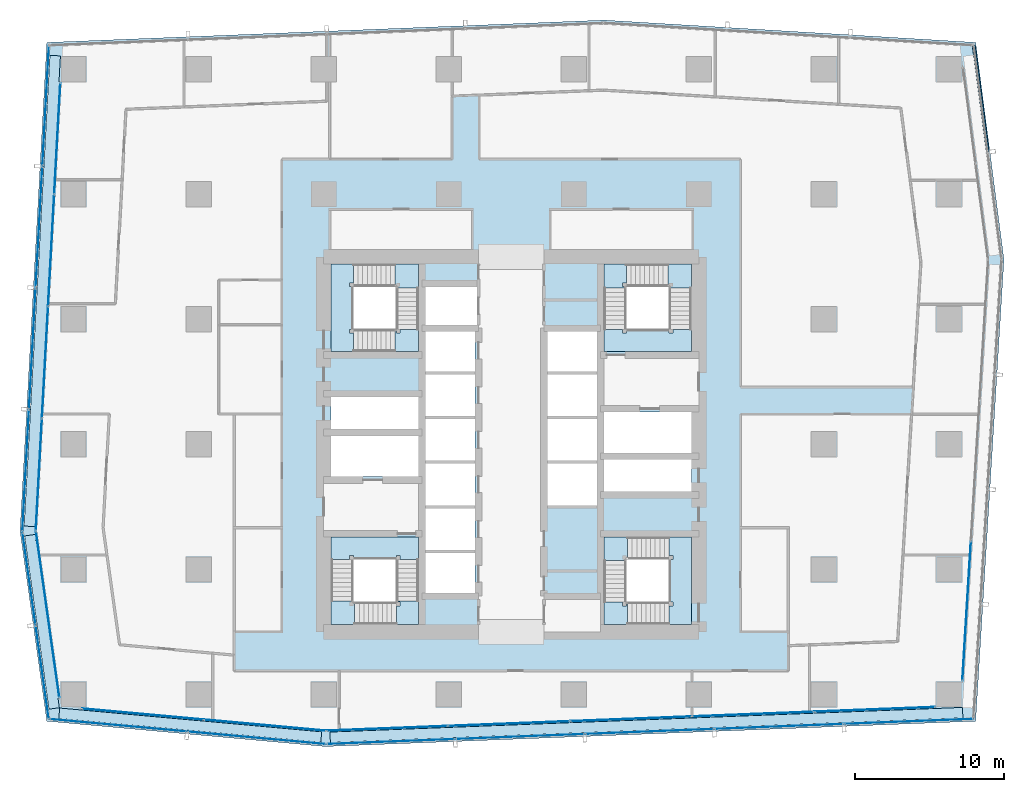
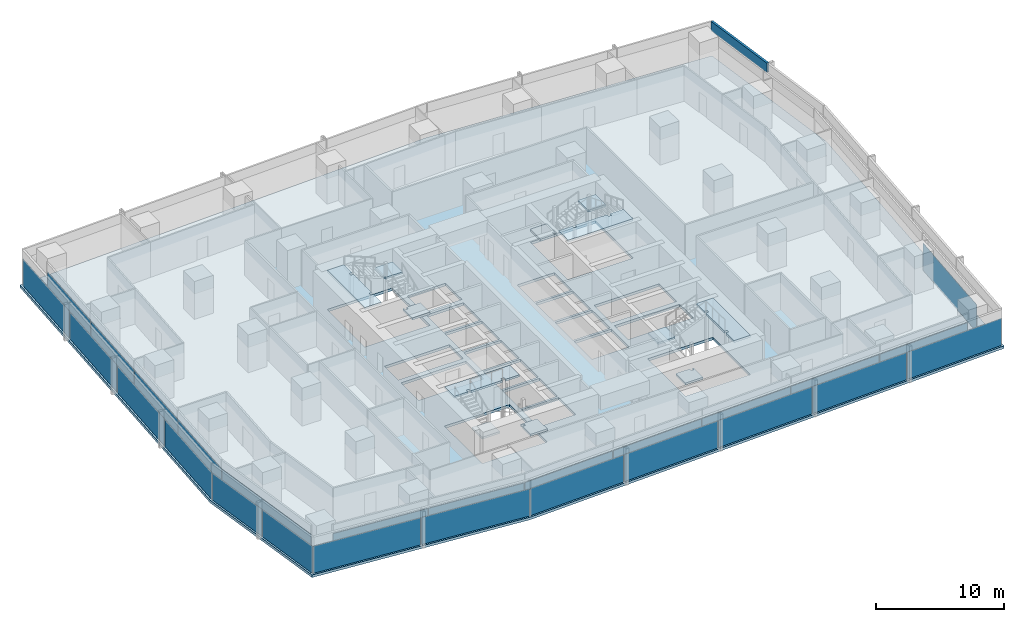
# One storey, part 27 of 40: 30 plates, 13 slabs, 1 member, 14 elements without a shape of their own.
"""IFC4 building model written with IfcOpenShell, lengths in metres."""

from ifc_helpers import new_model, si_unit, direction, frame, origin, origin_2d, place, context, subcontext, project, spatial, polyline, rectangle, hollow_rectangle, outline, extrude, material, layer, layer_set, material_profile, profile_set, type_object, element, aggregate, save


model = new_model("IFC4")

# Units and contexts
model_context = context("Model", 3, precision=1e-05, world=origin(), true_north=direction((0.0, 1.0)))
body_context = subcontext(model_context, "Body", "Model", "MODEL_VIEW")
ifc_project = project(units=[si_unit("LENGTHUNIT", "METRE"), si_unit("AREAUNIT", "SQUARE_METRE"), si_unit("VOLUMEUNIT", "CUBIC_METRE"), si_unit("PLANEANGLEUNIT", "RADIAN"), si_unit("MASSUNIT", "GRAM", prefix="KILO")], contexts=[model_context])

# Site, building, storey
site_placement = place(None, origin())
site = spatial("IfcSite", under=ifc_project, at=site_placement, CompositionType="ELEMENT")
building_placement = place(site_placement, origin())
building = spatial("IfcBuilding", under=site, at=building_placement, Name="Rekha Terrace Tower", CompositionType="ELEMENT")
storey_placement = place(building_placement, frame((0.0, 0.0, 106.550048828125)))
storey = spatial("IfcBuildingStorey", under=building, at=storey_placement, Name="L26", CompositionType="ELEMENT", Elevation=106.550048828125)

# Curtain wall, member
ifc_material_1 = material(Name="Aluminium framing", Category="aluminium")
curtain_wall_type_1 = type_object("IfcCurtainWallType", Name="CW2 double skin outer glazing", PredefinedType="USERDEFINED", material=ifc_material_1)
curtain_wall_1_placement = place(storey_placement, origin())
curtain_wall_1 = element("IfcCurtainWall", 1, at=curtain_wall_1_placement, inside=storey, type_object=curtain_wall_type_1, Name="CW2 double skin outer glazing", ObjectType="DOUBLE SKIN OUTER GLAZING", PredefinedType="USERDEFINED")
ifc_material_2 = material(Name="Insulated aluminium spandrel box", Category="aluminium")
ifc_material_profile = material_profile(ifc_material_2, hollow_rectangle(XDim=0.199951171875, YDim=0.89990234375, WallThickness=0.0029296875, at=origin_2d()), Name="AL SPANDREL BOX 200x900")
ifc_profile_set = profile_set([ifc_material_profile], Name="Insulated aluminium spandrel box")
member_type = type_object("IfcMemberType", Name="CW2 spandrel transom 200 x 900", PredefinedType="USERDEFINED", material=ifc_profile_set)
member_placement = place(storey_placement, frame((69.793701171875, 53.26513671875, 3.050048828125), z_axis=(-0.12912937971, 0.9916277544, 0.0), x_axis=(-0.9916277544, -0.12912937971, 0.0)))
member = element("IfcMember", 2, at=member_placement, type_object=member_type, Name="CW2 spandrel transom 2", ObjectType="TRANSOM", PredefinedType="USERDEFINED", context=body_context, shape_type="SweptSolid", body=[
    extrude(hollow_rectangle(XDim=0.199951171875, YDim=0.89990234375, WallThickness=0.0029296875, at=origin_2d()), origin(), (0.0, 0.0, 1.0), 7.163818359375),
])
aggregate(curtain_wall_1, [member])

# Curtain wall, plates
curtain_wall_type_2 = type_object("IfcCurtainWallType", Name="CW1 double skin inner glazing", PredefinedType="USERDEFINED", material=ifc_material_1)
curtain_wall_2_placement = place(storey_placement, origin())
curtain_wall_2 = element("IfcCurtainWall", 3, at=curtain_wall_2_placement, inside=storey, type_object=curtain_wall_type_2, Name="CW1 double skin inner glazing", ObjectType="DOUBLE SKIN INNER GLAZING", PredefinedType="USERDEFINED")
ifc_material_3 = material(Name="Double-glazed low-e unit 32", Category="glass")
ifc_layer_1 = layer(ifc_material_3, 0.031982421875)
ifc_layer_set_1 = layer_set([ifc_layer_1], Name="Double-glazed low-e unit 32")
plate_type_1 = type_object("IfcPlateType", Name="CW1 jumbo vision panel, double-glazed low-e unit 32", PredefinedType="CURTAIN_PANEL", material=ifc_layer_set_1)
plate_1_placement = place(storey_placement, frame((13.0439453125, 15.479248046875, 0.0), z_axis=(0.0, 0.0, 1.0), x_axis=(0.995901923142, -0.090439811381, 0.0)))
plate_1 = element("IfcPlate", 4, at=plate_1_placement, type_object=plate_type_1, Name="CW1 panel 1.1", PredefinedType="CURTAIN_PANEL", context=body_context, shape_type="SweptSolid", body=[
    extrude(rectangle(XDim=8.1494140625, YDim=0.031982421875, at=origin_2d()), origin(), (0.0, 0.0, 1.0), 2.60009765625),
])
plate_2_placement = place(storey_placement, frame((21.257080078125, 14.7333984375, 0.0), z_axis=(0.0, 0.0, 1.0), x_axis=(0.995901923142, -0.090439811381, 0.0)))
plate_2 = element("IfcPlate", 5, at=plate_2_placement, type_object=plate_type_1, Name="CW1 panel 2.1", PredefinedType="CURTAIN_PANEL", context=body_context, shape_type="SweptSolid", body=[
    extrude(rectangle(XDim=8.214599609375, YDim=0.031982421875, at=origin_2d()), origin(), (0.0, 0.0, 1.0), 2.60009765625),
])
aggregate(curtain_wall_2, [plate_1, plate_2])

curtain_wall_3_placement = place(storey_placement, origin())
curtain_wall_3 = element("IfcCurtainWall", 6, at=curtain_wall_3_placement, inside=storey, type_object=curtain_wall_type_2, Name="CW1 double skin inner glazing", ObjectType="DOUBLE SKIN INNER GLAZING", PredefinedType="USERDEFINED")
plate_3_placement = place(storey_placement, frame((29.4619140625, 14.52197265625, 0.0), z_axis=(0.0, 0.0, 1.0), x_axis=(0.999243498917, 0.038889971345, 0.0)))
plate_3 = element("IfcPlate", 7, at=plate_3_placement, type_object=plate_type_1, Name="CW1 panel 1.1", PredefinedType="CURTAIN_PANEL", context=body_context, shape_type="SweptSolid", body=[
    extrude(rectangle(XDim=8.105224609375, YDim=0.031982421875, at=origin_2d()), origin(), (0.0, 0.0, 1.0), 2.60009765625),
])
plate_4_placement = place(storey_placement, frame((37.64208984375, 14.84033203125, 0.0), z_axis=(0.0, 0.0, 1.0), x_axis=(0.999243498917, 0.038889971345, 0.0)))
plate_4 = element("IfcPlate", 8, at=plate_4_placement, type_object=plate_type_1, Name="CW1 panel 2.1", PredefinedType="CURTAIN_PANEL", context=body_context, shape_type="SweptSolid", body=[
    extrude(rectangle(XDim=8.1376953125, YDim=0.031982421875, at=origin_2d()), origin(), (0.0, 0.0, 1.0), 2.60009765625),
])
plate_5_placement = place(storey_placement, frame((45.838623046875, 15.159423828125, 0.0), z_axis=(0.0, 0.0, 1.0), x_axis=(0.999243498917, 0.038889971345, 0.0)))
plate_5 = element("IfcPlate", 9, at=plate_5_placement, type_object=plate_type_1, Name="CW1 panel 3.1", PredefinedType="CURTAIN_PANEL", context=body_context, shape_type="SweptSolid", body=[
    extrude(rectangle(XDim=8.1376953125, YDim=0.031982421875, at=origin_2d()), origin(), (0.0, 0.0, 1.0), 2.60009765625),
])
plate_6_placement = place(storey_placement, frame((54.034912109375, 15.478271484375, 0.0), z_axis=(0.0, 0.0, 1.0), x_axis=(0.999243498917, 0.038889971345, 0.0)))
plate_6 = element("IfcPlate", 10, at=plate_6_placement, type_object=plate_type_1, Name="CW1 panel 4.1", PredefinedType="CURTAIN_PANEL", context=body_context, shape_type="SweptSolid", body=[
    extrude(rectangle(XDim=8.1376953125, YDim=0.031982421875, at=origin_2d()), origin(), (0.0, 0.0, 1.0), 2.60009765625),
])
plate_7_placement = place(storey_placement, frame((62.21533203125, 15.796630859375, 0.0), z_axis=(0.0, 0.0, 1.0), x_axis=(0.999243498917, 0.038889971345, 0.0)))
plate_7 = element("IfcPlate", 11, at=plate_7_placement, type_object=plate_type_1, Name="CW1 panel 5.1", PredefinedType="CURTAIN_PANEL", context=body_context, shape_type="SweptSolid", body=[
    extrude(rectangle(XDim=8.105224609375, YDim=0.031982421875, at=origin_2d()), origin(), (0.0, 0.0, 1.0), 2.60009765625),
])
aggregate(curtain_wall_3, [plate_3, plate_4, plate_5, plate_6, plate_7])

# Curtain wall, plate
curtain_wall_4_placement = place(storey_placement, origin())
curtain_wall_4 = element("IfcCurtainWall", 12, at=curtain_wall_4_placement, inside=storey, type_object=curtain_wall_type_2, Name="CW1 double skin inner glazing", ObjectType="DOUBLE SKIN INNER GLAZING", PredefinedType="USERDEFINED")
plate_8_placement = place(storey_placement, frame((68.391357421875, 22.400634765625, 0.0), z_axis=(0.0, 0.0, 1.0), x_axis=(0.061159803131, 0.998127987024, 0.0)))
plate_8 = element("IfcPlate", 13, at=plate_8_placement, type_object=plate_type_1, Name="CW1 panel 1.1", PredefinedType="CURTAIN_PANEL", context=body_context, shape_type="SweptSolid", body=[
    extrude(rectangle(XDim=9.355224609375, YDim=0.031982421875, at=origin_2d()), origin(), (0.0, 0.0, 1.0), 2.60009765625),
])
aggregate(curtain_wall_4, [plate_8])

# Curtain wall, plates
curtain_wall_5_placement = place(storey_placement, origin())
curtain_wall_5 = element("IfcCurtainWall", 14, at=curtain_wall_5_placement, inside=storey, type_object=curtain_wall_type_2, Name="CW1 double skin inner glazing", ObjectType="DOUBLE SKIN INNER GLAZING", PredefinedType="USERDEFINED")
plate_9_placement = place(storey_placement, frame((7.30810546875, 54.15087890625, 0.0), z_axis=(0.0, 0.0, 1.0), x_axis=(-0.054742352707, -0.99850051318, 0.0)))
plate_9 = element("IfcPlate", 15, at=plate_9_placement, type_object=plate_type_1, Name="CW1 panel 1.1", PredefinedType="CURTAIN_PANEL", context=body_context, shape_type="SweptSolid", body=[
    extrude(rectangle(XDim=7.443359375, YDim=0.031982421875, at=origin_2d()), origin(), (0.0, 0.0, 1.0), 2.60009765625),
])
plate_10_placement = place(storey_placement, frame((6.89599609375, 46.637451171875, 0.0), z_axis=(0.0, 0.0, 1.0), x_axis=(-0.054742352707, -0.99850051318, 0.0)))
plate_10 = element("IfcPlate", 16, at=plate_10_placement, type_object=plate_type_1, Name="CW1 panel 2.1", PredefinedType="CURTAIN_PANEL", context=body_context, shape_type="SweptSolid", body=[
    extrude(rectangle(XDim=7.475830078125, YDim=0.031982421875, at=origin_2d()), origin(), (0.0, 0.0, 1.0), 2.60009765625),
])
plate_11_placement = place(storey_placement, frame((6.4833984375, 39.10791015625, 0.0), z_axis=(0.0, 0.0, 1.0), x_axis=(-0.054742352707, -0.99850051318, 0.0)))
plate_11 = element("IfcPlate", 17, at=plate_11_placement, type_object=plate_type_1, Name="CW1 panel 3.1", PredefinedType="CURTAIN_PANEL", context=body_context, shape_type="SweptSolid", body=[
    extrude(rectangle(XDim=7.475830078125, YDim=0.031982421875, at=origin_2d()), origin(), (0.0, 0.0, 1.0), 2.60009765625),
])
plate_12_placement = place(storey_placement, frame((6.069580078125, 31.56201171875, 0.0), z_axis=(0.0, 0.0, 1.0), x_axis=(-0.054742352707, -0.99850051318, 0.0)))
plate_12 = element("IfcPlate", 18, at=plate_12_placement, type_object=plate_type_1, Name="CW1 panel 4.1", PredefinedType="CURTAIN_PANEL", context=body_context, shape_type="SweptSolid", body=[
    extrude(rectangle(XDim=7.508544921875, YDim=0.031982421875, at=origin_2d()), origin(), (0.0, 0.0, 1.0), 2.60009765625),
])
aggregate(curtain_wall_5, [plate_9, plate_10, plate_11, plate_12])

# Curtain wall, plate
curtain_wall_6_placement = place(storey_placement, origin())
curtain_wall_6 = element("IfcCurtainWall", 19, at=curtain_wall_6_placement, inside=storey, type_object=curtain_wall_type_2, Name="CW1 double skin inner glazing", ObjectType="DOUBLE SKIN INNER GLAZING", PredefinedType="USERDEFINED")
plate_13_placement = place(storey_placement, frame((6.65869140625, 22.177490234375, 0.0), z_axis=(0.0, 0.0, 1.0), x_axis=(0.139597048082, -0.990208394312, 0.0)))
plate_13 = element("IfcPlate", 20, at=plate_13_placement, type_object=plate_type_1, Name="CW1 panel 1.1", PredefinedType="CURTAIN_PANEL", context=body_context, shape_type="SweptSolid", body=[
    extrude(rectangle(XDim=11.253173828125, YDim=0.031982421875, at=origin_2d()), origin(), (0.0, 0.0, 1.0), 2.60009765625),
])
aggregate(curtain_wall_6, [plate_13])

# Curtain wall, plates
curtain_wall_7_placement = place(storey_placement, origin())
curtain_wall_7 = element("IfcCurtainWall", 21, at=curtain_wall_7_placement, inside=storey, type_object=curtain_wall_type_1, Name="CW2 double skin outer glazing", ObjectType="DOUBLE SKIN OUTER GLAZING", PredefinedType="USERDEFINED")
ifc_material_4 = material(Name="Toughened single glazing 12", Category="glass")
ifc_layer_2 = layer(ifc_material_4, 0.011962890625)
ifc_layer_set_2 = layer_set([ifc_layer_2], Name="Toughened single glazing 12")
plate_type_2 = type_object("IfcPlateType", Name="CW2 jumbo vision panel, toughened single glazing 12", PredefinedType="CURTAIN_PANEL", material=ifc_layer_set_2)
plate_14_placement = place(storey_placement, frame((11.406494140625, 14.72412109375, 0.0), z_axis=(0.0, 0.0, 1.0), x_axis=(0.995901923137, -0.090439811433, 0.0)))
plate_14 = element("IfcPlate", 22, at=plate_14_placement, type_object=plate_type_2, Name="CW2 panel 1.1", PredefinedType="CURTAIN_PANEL", context=body_context, shape_type="SweptSolid", body=[
    extrude(rectangle(XDim=9.2099609375, YDim=0.011962890625, at=origin_2d()), origin(), (0.0, 0.0, 1.0), 2.60009765625),
])
plate_15_placement = place(storey_placement, frame((20.6982421875, 13.88037109375, 0.0), z_axis=(0.0, 0.0, 1.0), x_axis=(0.995901923137, -0.090439811433, 0.0)))
plate_15 = element("IfcPlate", 23, at=plate_15_placement, type_object=plate_type_2, Name="CW2 panel 2.1", PredefinedType="CURTAIN_PANEL", context=body_context, shape_type="SweptSolid", body=[
    extrude(rectangle(XDim=9.2900390625, YDim=0.011962890625, at=origin_2d()), origin(), (0.0, 0.0, 1.0), 2.60009765625),
])
aggregate(curtain_wall_7, [plate_14, plate_15])

curtain_wall_8_placement = place(storey_placement, origin())
curtain_wall_8 = element("IfcCurtainWall", 24, at=curtain_wall_8_placement, inside=storey, type_object=curtain_wall_type_1, Name="CW2 double skin outer glazing", ObjectType="DOUBLE SKIN OUTER GLAZING", PredefinedType="USERDEFINED")
plate_16_placement = place(storey_placement, frame((29.696533203125, 13.63037109375, 0.0), z_axis=(0.0, 0.0, 1.0), x_axis=(0.999243498917, 0.038889971345, 0.0)))
plate_16 = element("IfcPlate", 25, at=plate_16_placement, type_object=plate_type_2, Name="CW2 panel 1.1", PredefinedType="CURTAIN_PANEL", context=body_context, shape_type="SweptSolid", body=[
    extrude(rectangle(XDim=8.591552734375, YDim=0.011962890625, at=origin_2d()), origin(), (0.0, 0.0, 1.0), 2.60009765625),
])
plate_17_placement = place(storey_placement, frame((38.381591796875, 13.968505859375, 0.0), z_axis=(0.0, 0.0, 1.0), x_axis=(0.999243498917, 0.038889971345, 0.0)))
plate_17 = element("IfcPlate", 26, at=plate_17_placement, type_object=plate_type_2, Name="CW2 panel 2.1", PredefinedType="CURTAIN_PANEL", context=body_context, shape_type="SweptSolid", body=[
    extrude(rectangle(XDim=8.631591796875, YDim=0.011962890625, at=origin_2d()), origin(), (0.0, 0.0, 1.0), 2.60009765625),
])
plate_18_placement = place(storey_placement, frame((47.086669921875, 14.307373046875, 0.0), z_axis=(0.0, 0.0, 1.0), x_axis=(0.999243498917, 0.038889971345, 0.0)))
plate_18 = element("IfcPlate", 27, at=plate_18_placement, type_object=plate_type_2, Name="CW2 panel 3.1", PredefinedType="CURTAIN_PANEL", context=body_context, shape_type="SweptSolid", body=[
    extrude(rectangle(XDim=8.631591796875, YDim=0.011962890625, at=origin_2d()), origin(), (0.0, 0.0, 1.0), 2.60009765625),
])
plate_19_placement = place(storey_placement, frame((55.791748046875, 14.64599609375, 0.0), z_axis=(0.0, 0.0, 1.0), x_axis=(0.999243498917, 0.038889971345, 0.0)))
plate_19 = element("IfcPlate", 28, at=plate_19_placement, type_object=plate_type_2, Name="CW2 panel 4.1", PredefinedType="CURTAIN_PANEL", context=body_context, shape_type="SweptSolid", body=[
    extrude(rectangle(XDim=8.631591796875, YDim=0.011962890625, at=origin_2d()), origin(), (0.0, 0.0, 1.0), 2.60009765625),
])
plate_20_placement = place(storey_placement, frame((64.5166015625, 14.985595703125, 0.0), z_axis=(0.0, 0.0, 1.0), x_axis=(0.999243498917, 0.038889971345, 0.0)))
plate_20 = element("IfcPlate", 29, at=plate_20_placement, type_object=plate_type_2, Name="CW2 panel 5.1", PredefinedType="CURTAIN_PANEL", context=body_context, shape_type="SweptSolid", body=[
    extrude(rectangle(XDim=8.671630859375, YDim=0.011962890625, at=origin_2d()), origin(), (0.0, 0.0, 1.0), 2.60009765625),
])
aggregate(curtain_wall_8, [plate_16, plate_17, plate_18, plate_19, plate_20])

curtain_wall_9_placement = place(storey_placement, origin())
curtain_wall_9 = element("IfcCurtainWall", 30, at=curtain_wall_9_placement, inside=storey, type_object=curtain_wall_type_1, Name="CW2 double skin outer glazing", ObjectType="DOUBLE SKIN OUTER GLAZING", PredefinedType="USERDEFINED")
plate_21_placement = place(storey_placement, frame((6.52685546875, 56.342041015625, 0.0), z_axis=(0.0, 0.0, 1.0), x_axis=(-0.054742352707, -0.99850051318, 0.0)))
plate_21 = element("IfcPlate", 31, at=plate_21_placement, type_object=plate_type_2, Name="CW2 panel 1.1", PredefinedType="CURTAIN_PANEL", context=body_context, shape_type="SweptSolid", body=[
    extrude(rectangle(XDim=8.06005859375, YDim=0.011962890625, at=origin_2d()), origin(), (0.0, 0.0, 1.0), 2.60009765625),
])
plate_22_placement = place(storey_placement, frame((6.080078125, 48.1943359375, 0.0), z_axis=(0.0, 0.0, 1.0), x_axis=(-0.054742352707, -0.99850051318, 0.0)))
plate_22 = element("IfcPlate", 32, at=plate_22_placement, type_object=plate_type_2, Name="CW2 panel 2.1", PredefinedType="CURTAIN_PANEL", context=body_context, shape_type="SweptSolid", body=[
    extrude(rectangle(XDim=8.10009765625, YDim=0.011962890625, at=origin_2d()), origin(), (0.0, 0.0, 1.0), 2.60009765625),
])
plate_23_placement = place(storey_placement, frame((5.63232421875, 40.026611328125, 0.0), z_axis=(0.0, 0.0, 1.0), x_axis=(-0.054742352707, -0.99850051318, 0.0)))
plate_23 = element("IfcPlate", 33, at=plate_23_placement, type_object=plate_type_2, Name="CW2 panel 3.1", PredefinedType="CURTAIN_PANEL", context=body_context, shape_type="SweptSolid", body=[
    extrude(rectangle(XDim=8.10009765625, YDim=0.011962890625, at=origin_2d()), origin(), (0.0, 0.0, 1.0), 2.60009765625),
])
plate_24_placement = place(storey_placement, frame((5.183349609375, 31.8388671875, 0.0), z_axis=(0.0, 0.0, 1.0), x_axis=(-0.054742352707, -0.99850051318, 0.0)))
plate_24 = element("IfcPlate", 34, at=plate_24_placement, type_object=plate_type_2, Name="CW2 panel 4.1", PredefinedType="CURTAIN_PANEL", context=body_context, shape_type="SweptSolid", body=[
    extrude(rectangle(XDim=8.14013671875, YDim=0.011962890625, at=origin_2d()), origin(), (0.0, 0.0, 1.0), 2.60009765625),
])
aggregate(curtain_wall_9, [plate_21, plate_22, plate_23, plate_24])

curtain_wall_10_placement = place(storey_placement, origin())
curtain_wall_10 = element("IfcCurtainWall", 35, at=curtain_wall_10_placement, inside=storey, type_object=curtain_wall_type_1, Name="CW2 double skin outer glazing", ObjectType="DOUBLE SKIN OUTER GLAZING", PredefinedType="USERDEFINED")
plate_25_placement = place(storey_placement, frame((5.408447265625, 24.598388671875, 0.0), z_axis=(0.0, 0.0, 1.0), x_axis=(0.139597048082, -0.990208394312, 0.0)))
plate_25 = element("IfcPlate", 36, at=plate_25_placement, type_object=plate_type_2, Name="CW2 panel 1.1", PredefinedType="CURTAIN_PANEL", context=body_context, shape_type="SweptSolid", body=[
    extrude(rectangle(XDim=6.255859375, YDim=0.011962890625, at=origin_2d()), origin(), (0.0, 0.0, 1.0), 2.60009765625),
])
plate_26_placement = place(storey_placement, frame((6.298583984375, 18.284912109375, 0.0), z_axis=(0.0, 0.0, 1.0), x_axis=(0.139597048082, -0.990208394312, 0.0)))
plate_26 = element("IfcPlate", 37, at=plate_26_placement, type_object=plate_type_2, Name="CW2 panel 2.1", PredefinedType="CURTAIN_PANEL", context=body_context, shape_type="SweptSolid", body=[
    extrude(rectangle(XDim=6.3359375, YDim=0.011962890625, at=origin_2d()), origin(), (0.0, 0.0, 1.0), 2.60009765625),
])
aggregate(curtain_wall_10, [plate_25, plate_26])

# Plates
ifc_material_5 = material(Name="Galvanised steel open grating", Category="steel")
ifc_layer_3 = layer(ifc_material_5, 0.050048828125)
ifc_layer_set_3 = layer_set([ifc_layer_3], Name="Galvanised steel open grating")
plate_type_3 = type_object("IfcPlateType", Name="GT1 cavity walkway grating 50", PredefinedType="USERDEFINED", material=ifc_layer_set_3)
plate_27_placement = place(storey_placement, frame((16.236083984375, 14.737548828125, 0.0), z_axis=(0.0, 0.0, 1.0), x_axis=(0.99590192314, -0.090439811399, 0.0)))
element("IfcPlate", 38, at=plate_27_placement, inside=storey, type_object=plate_type_3, Name="Cavity walkway grating", ObjectType="CAVITY WALKWAY GRATING", PredefinedType="USERDEFINED", context=body_context, shape_type="SweptSolid", body=[
    extrude(rectangle(XDim=17.674072265625, YDim=0.705078125, at=origin_2d()), origin(), (0.0, 0.0, 1.0), 0.050048828125),
])
plate_28_placement = place(storey_placement, frame((46.88037109375, 14.74951171875, 0.0), z_axis=(0.0, 0.0, 1.0), x_axis=(0.999243498917, 0.038889971345, 0.0)))
element("IfcPlate", 39, at=plate_28_placement, inside=storey, type_object=plate_type_3, Name="Cavity walkway grating", ObjectType="CAVITY WALKWAY GRATING", PredefinedType="USERDEFINED", context=body_context, shape_type="SweptSolid", body=[
    extrude(rectangle(XDim=42.521728515625, YDim=0.705078125, at=origin_2d()), origin(), (0.0, 0.0, 1.0), 0.050048828125),
])
plate_29_placement = place(storey_placement, frame((6.295654296875, 43.9033203125, 0.0), z_axis=(0.0, 0.0, 1.0), x_axis=(-0.05474235269, -0.998500513181, 0.0)))
element("IfcPlate", 40, at=plate_29_placement, inside=storey, type_object=plate_type_3, Name="Cavity walkway grating", ObjectType="CAVITY WALKWAY GRATING", PredefinedType="USERDEFINED", context=body_context, shape_type="SweptSolid", body=[
    extrude(rectangle(XDim=31.6669921875, YDim=0.705078125, at=origin_2d()), origin(), (0.0, 0.0, 1.0), 0.050048828125),
])
plate_30_placement = place(storey_placement, frame((6.2744140625, 21.678955078125, 0.0), z_axis=(0.0, 0.0, 1.0), x_axis=(0.139597048064, -0.990208394315, 0.0)))
element("IfcPlate", 41, at=plate_30_placement, inside=storey, type_object=plate_type_3, Name="Cavity walkway grating", ObjectType="CAVITY WALKWAY GRATING", PredefinedType="USERDEFINED", context=body_context, shape_type="SweptSolid", body=[
    extrude(rectangle(XDim=11.751220703125, YDim=0.705078125, at=origin_2d()), origin(), (0.0, 0.0, 1.0), 0.050048828125),
])

# Stair, slabs
ifc_material_6 = material(Name="Concrete M40", Category="concrete")
stair_type = type_object("IfcStairType", Name="ST30 stair, 30 risers of 125, going 310, 1500 wide flights, 3 flights", PredefinedType="HALF_TURN_STAIR", material=ifc_material_6)
stair_1_placement = place(storey_placement, origin())
stair_1 = element("IfcStair", 42, at=stair_1_placement, inside=storey, type_object=stair_type, Name="Stair ST1 L26 to L27", PredefinedType="HALF_TURN_STAIR")
ifc_layer_4 = layer(ifc_material_6, 0.199951171875)
ifc_layer_set_4 = layer_set([ifc_layer_4], Name="Concrete M40")
slab_type_1 = type_object("IfcSlabType", Name="LD1 200 concrete stair landing", PredefinedType="LANDING", material=ifc_layer_set_4)
slab_1_placement = place(storey_placement, frame((0.0, 0.0, 1.050048828125)))
slab_1 = element("IfcSlab", 43, at=slab_1_placement, type_object=slab_type_1, Name="ST1 landing 1", PredefinedType="LANDING", context=body_context, shape_type="SweptSolid", body=[
    extrude(outline(polyline([(30.074951171875, 21.5), (31.574951171875, 21.5), (31.574951171875, 23.0849609375), (30.074951171875, 23.0849609375), (30.074951171875, 23.0), (30.324951171875, 23.0), (30.324951171875, 22.75), (30.074951171875, 22.75), (30.074951171875, 21.5)])), origin(), (0.0, 0.0, 1.0), 0.199951171875),
])
slab_2_placement = place(storey_placement, frame((0.0, 0.0, 2.300048828125)))
slab_2 = element("IfcSlab", 44, at=slab_2_placement, type_object=slab_type_1, Name="ST1 landing 2", PredefinedType="LANDING", context=body_context, shape_type="SweptSolid", body=[
    extrude(outline(polyline([(27.199951171875, 23.0849609375), (25.699951171875, 23.0849609375), (25.699951171875, 21.5), (27.284912109375, 21.5), (27.284912109375, 23.0), (27.199951171875, 23.0), (27.199951171875, 23.0849609375)])), origin(), (0.0, 0.0, 1.0), 0.199951171875),
])
slab_3_placement = place(storey_placement, frame((0.0, 0.0, 3.550048828125)))
slab_3 = element("IfcSlab", 45, at=slab_3_placement, type_object=slab_type_1, Name="ST1 landing 3", PredefinedType="LANDING", context=body_context, shape_type="SweptSolid", body=[
    extrude(outline(polyline([(31.574951171875, 25.875), (31.574951171875, 27.375), (25.699951171875, 27.375), (25.699951171875, 25.875), (26.949951171875, 25.875), (26.949951171875, 26.125), (27.199951171875, 26.125), (27.199951171875, 25.875), (30.074951171875, 25.875), (30.074951171875, 26.125), (30.324951171875, 26.125), (30.324951171875, 25.875), (31.574951171875, 25.875)])), origin(), (0.0, 0.0, 1.0), 0.199951171875),
])
aggregate(stair_1, [slab_1, slab_2, slab_3])

stair_2_placement = place(storey_placement, origin())
stair_2 = element("IfcStair", 46, at=stair_2_placement, inside=storey, type_object=stair_type, Name="Stair ST2 L26 to L27", PredefinedType="HALF_TURN_STAIR")
slab_4_placement = place(storey_placement, frame((0.0, 0.0, 1.050048828125)))
slab_4 = element("IfcSlab", 47, at=slab_4_placement, type_object=slab_type_1, Name="ST2 landing 1", PredefinedType="LANDING", context=body_context, shape_type="SweptSolid", body=[
    extrude(outline(polyline([(45.52490234375, 45.699951171875), (44.02490234375, 45.699951171875), (44.02490234375, 44.114990234375), (45.52490234375, 44.114990234375), (45.52490234375, 44.199951171875), (45.27490234375, 44.199951171875), (45.27490234375, 44.449951171875), (45.52490234375, 44.449951171875), (45.52490234375, 45.699951171875)])), origin(), (0.0, 0.0, 1.0), 0.199951171875),
])
slab_5_placement = place(storey_placement, frame((0.0, 0.0, 2.300048828125)))
slab_5 = element("IfcSlab", 48, at=slab_5_placement, type_object=slab_type_1, Name="ST2 landing 2", PredefinedType="LANDING", context=body_context, shape_type="SweptSolid", body=[
    extrude(outline(polyline([(48.39990234375, 44.114990234375), (49.89990234375, 44.114990234375), (49.89990234375, 45.699951171875), (48.31494140625, 45.699951171875), (48.31494140625, 44.199951171875), (48.39990234375, 44.199951171875), (48.39990234375, 44.114990234375)])), origin(), (0.0, 0.0, 1.0), 0.199951171875),
])
slab_6_placement = place(storey_placement, frame((0.0, 0.0, 3.550048828125)))
slab_6 = element("IfcSlab", 49, at=slab_6_placement, type_object=slab_type_1, Name="ST2 landing 3", PredefinedType="LANDING", context=body_context, shape_type="SweptSolid", body=[
    extrude(outline(polyline([(44.02490234375, 41.324951171875), (44.02490234375, 39.824951171875), (49.89990234375, 39.824951171875), (49.89990234375, 41.324951171875), (48.64990234375, 41.324951171875), (48.64990234375, 41.074951171875), (48.39990234375, 41.074951171875), (48.39990234375, 41.324951171875), (45.52490234375, 41.324951171875), (45.52490234375, 41.074951171875), (45.27490234375, 41.074951171875), (45.27490234375, 41.324951171875), (44.02490234375, 41.324951171875)])), origin(), (0.0, 0.0, 1.0), 0.199951171875),
])
aggregate(stair_2, [slab_4, slab_5, slab_6])

stair_3_placement = place(storey_placement, origin())
stair_3 = element("IfcStair", 50, at=stair_3_placement, inside=storey, type_object=stair_type, Name="Stair ST3 L26 to L27", PredefinedType="HALF_TURN_STAIR")
slab_7_placement = place(storey_placement, frame((0.0, 0.0, 1.050048828125)))
slab_7 = element("IfcSlab", 51, at=slab_7_placement, type_object=slab_type_1, Name="ST3 landing 1", PredefinedType="LANDING", context=body_context, shape_type="SweptSolid", body=[
    extrude(outline(polyline([(44.02490234375, 23.0), (44.02490234375, 21.5), (45.610107421875, 21.5), (45.610107421875, 23.0), (45.52490234375, 23.0), (45.52490234375, 22.75), (45.27490234375, 22.75), (45.27490234375, 23.0), (44.02490234375, 23.0)])), origin(), (0.0, 0.0, 1.0), 0.199951171875),
])
slab_8_placement = place(storey_placement, frame((0.0, 0.0, 2.300048828125)))
slab_8 = element("IfcSlab", 52, at=slab_8_placement, type_object=slab_type_1, Name="ST3 landing 2", PredefinedType="LANDING", context=body_context, shape_type="SweptSolid", body=[
    extrude(outline(polyline([(45.610107421875, 25.875), (45.610107421875, 27.375), (44.02490234375, 27.375), (44.02490234375, 25.7900390625), (45.52490234375, 25.7900390625), (45.52490234375, 25.875), (45.610107421875, 25.875)])), origin(), (0.0, 0.0, 1.0), 0.199951171875),
])
slab_9_placement = place(storey_placement, frame((0.0, 0.0, 3.550048828125)))
slab_9 = element("IfcSlab", 53, at=slab_9_placement, type_object=slab_type_1, Name="ST3 landing 3", PredefinedType="LANDING", context=body_context, shape_type="SweptSolid", body=[
    extrude(outline(polyline([(48.39990234375, 21.5), (49.89990234375, 21.5), (49.89990234375, 27.375), (48.39990234375, 27.375), (48.39990234375, 26.125), (48.64990234375, 26.125), (48.64990234375, 25.875), (48.39990234375, 25.875), (48.39990234375, 23.0), (48.64990234375, 23.0), (48.64990234375, 22.75), (48.39990234375, 22.75), (48.39990234375, 21.5)])), origin(), (0.0, 0.0, 1.0), 0.199951171875),
])
aggregate(stair_3, [slab_7, slab_8, slab_9])

stair_4_placement = place(storey_placement, origin())
stair_4 = element("IfcStair", 54, at=stair_4_placement, inside=storey, type_object=stair_type, Name="Stair ST4 L26 to L27", PredefinedType="HALF_TURN_STAIR")
slab_10_placement = place(storey_placement, frame((0.0, 0.0, 1.050048828125)))
slab_10 = element("IfcSlab", 55, at=slab_10_placement, type_object=slab_type_1, Name="ST4 landing 1", PredefinedType="LANDING", context=body_context, shape_type="SweptSolid", body=[
    extrude(outline(polyline([(31.574951171875, 41.324951171875), (31.574951171875, 39.824951171875), (29.989990234375, 39.824951171875), (29.989990234375, 41.324951171875), (30.074951171875, 41.324951171875), (30.074951171875, 41.074951171875), (30.324951171875, 41.074951171875), (30.324951171875, 41.324951171875), (31.574951171875, 41.324951171875)])), origin(), (0.0, 0.0, 1.0), 0.199951171875),
])
slab_11_placement = place(storey_placement, frame((0.0, 0.0, 2.300048828125)))
slab_11 = element("IfcSlab", 56, at=slab_11_placement, type_object=slab_type_1, Name="ST4 landing 2", PredefinedType="LANDING", context=body_context, shape_type="SweptSolid", body=[
    extrude(outline(polyline([(29.989990234375, 44.199951171875), (29.989990234375, 45.699951171875), (31.574951171875, 45.699951171875), (31.574951171875, 44.114990234375), (30.074951171875, 44.114990234375), (30.074951171875, 44.199951171875), (29.989990234375, 44.199951171875)])), origin(), (0.0, 0.0, 1.0), 0.199951171875),
])
slab_12_placement = place(storey_placement, frame((0.0, 0.0, 3.550048828125)))
slab_12 = element("IfcSlab", 57, at=slab_12_placement, type_object=slab_type_1, Name="ST4 landing 3", PredefinedType="LANDING", context=body_context, shape_type="SweptSolid", body=[
    extrude(outline(polyline([(27.199951171875, 39.824951171875), (25.699951171875, 39.824951171875), (25.699951171875, 45.699951171875), (27.199951171875, 45.699951171875), (27.199951171875, 44.449951171875), (26.949951171875, 44.449951171875), (26.949951171875, 44.199951171875), (27.199951171875, 44.199951171875), (27.199951171875, 41.324951171875), (26.949951171875, 41.324951171875), (26.949951171875, 41.074951171875), (27.199951171875, 41.074951171875), (27.199951171875, 39.824951171875)])), origin(), (0.0, 0.0, 1.0), 0.199951171875),
])
aggregate(stair_4, [slab_10, slab_11, slab_12])

# Slab
ifc_material_7 = material(Name="Concrete M50", Category="concrete")
ifc_layer_5 = layer(ifc_material_7, 0.25)
ifc_layer_set_5 = layer_set([ifc_layer_5], Name="Concrete M50")
slab_type_2 = type_object("IfcSlabType", Name="SL4 250 post-tensioned flat plate", PredefinedType="FLOOR", material=ifc_layer_set_5)
slab_13_placement = place(storey_placement, frame((0.0, 0.0, -0.25)))
element("IfcSlab", 58, at=slab_13_placement, inside=storey, type_object=slab_type_2, Name="Post-tensioned flat plate L26", PredefinedType="FLOOR", context=body_context, shape_type="SweptSolid", body=[
    extrude(outline(polyline([(4.800048828125, 27.76806640625), (6.60009765625, 15.0), (25.320068359375, 13.300048828125), (69.0, 15.0), (70.89990234375, 46.008056640625), (69.0, 60.60009765625), (44.0400390625, 62.10009765625), (6.60009765625, 60.60009765625), (4.800048828125, 27.76806640625)]), holes=[polyline([(31.574951171875, 27.375), (31.574951171875, 21.5), (25.699951171875, 21.5), (25.699951171875, 27.375), (31.574951171875, 27.375)]), polyline([(35.375, 26.300048828125), (35.375, 23.625), (32.02490234375, 23.625), (32.02490234375, 26.300048828125), (35.375, 26.300048828125)]), polyline([(35.375, 29.300048828125), (35.375, 26.5), (32.02490234375, 26.5), (32.02490234375, 29.300048828125), (35.375, 29.300048828125)]), polyline([(35.375, 32.300048828125), (35.375, 29.5), (32.02490234375, 29.5), (32.02490234375, 32.300048828125), (35.375, 32.300048828125)]), polyline([(31.574951171875, 34.175048828125), (31.574951171875, 31.425048828125), (25.699951171875, 31.425048828125), (25.699951171875, 34.175048828125), (31.574951171875, 34.175048828125)]), polyline([(35.375, 35.300048828125), (35.375, 32.5), (32.02490234375, 32.5), (32.02490234375, 35.300048828125), (35.375, 35.300048828125)]), polyline([(31.574951171875, 36.77490234375), (31.574951171875, 34.625), (25.699951171875, 34.625), (25.699951171875, 36.77490234375), (31.574951171875, 36.77490234375)]), polyline([(35.375, 35.5), (32.02490234375, 35.5), (32.02490234375, 38.300048828125), (35.375, 38.300048828125), (35.375, 35.5)]), polyline([(35.375, 38.5), (32.02490234375, 38.5), (32.02490234375, 41.175048828125), (35.375, 41.175048828125), (35.375, 38.5)]), polyline([(31.574951171875, 45.699951171875), (31.574951171875, 39.824951171875), (25.699951171875, 39.824951171875), (25.699951171875, 45.699951171875), (31.574951171875, 45.699951171875)]), polyline([(49.89990234375, 27.375), (49.89990234375, 21.5), (44.02490234375, 21.5), (44.02490234375, 27.375), (49.89990234375, 27.375)]), polyline([(43.574951171875, 32.300048828125), (43.574951171875, 29.5), (40.22509765625, 29.5), (40.22509765625, 32.300048828125), (43.574951171875, 32.300048828125)]), polyline([(49.89990234375, 30.425048828125), (44.02490234375, 30.425048828125), (44.02490234375, 32.574951171875), (49.89990234375, 32.574951171875), (49.89990234375, 30.425048828125)]), polyline([(43.574951171875, 32.5), (40.22509765625, 32.5), (40.22509765625, 35.300048828125), (43.574951171875, 35.300048828125), (43.574951171875, 32.5)]), polyline([(49.89990234375, 35.77490234375), (49.89990234375, 33.02490234375), (44.02490234375, 33.02490234375), (44.02490234375, 35.77490234375), (49.89990234375, 35.77490234375)]), polyline([(43.574951171875, 38.300048828125), (43.574951171875, 35.5), (40.22509765625, 35.5), (40.22509765625, 38.300048828125), (43.574951171875, 38.300048828125)]), polyline([(43.574951171875, 41.175048828125), (43.574951171875, 38.5), (40.22509765625, 38.5), (40.22509765625, 41.175048828125), (43.574951171875, 41.175048828125)]), polyline([(49.89990234375, 39.824951171875), (44.02490234375, 39.824951171875), (44.02490234375, 45.699951171875), (49.89990234375, 45.699951171875), (49.89990234375, 39.824951171875)]), polyline([(35.5, 41.625), (32.02490234375, 41.625), (32.02490234375, 44.175048828125), (35.5, 44.175048828125), (35.5, 41.625)])]), origin(), (0.0, 0.0, 1.0), 0.25),
])

save(model, "model.ifc")
